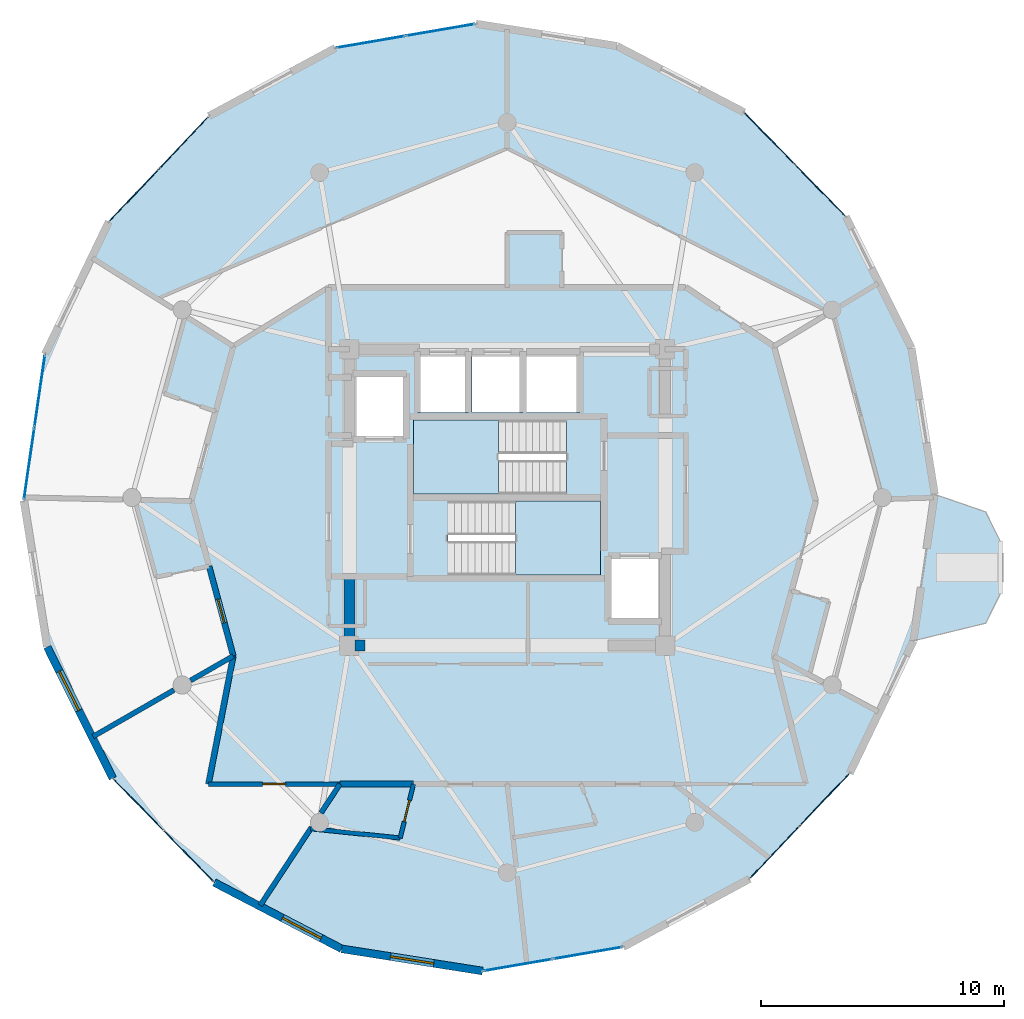
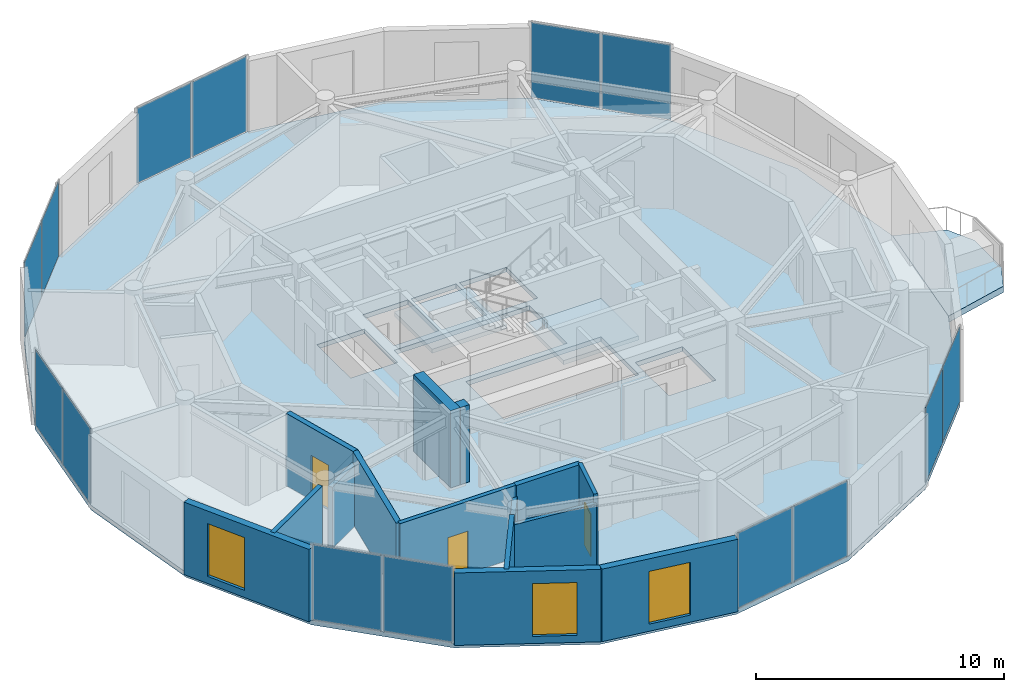
# One storey, part 16 of 22: 15 walls, 14 plates, 4 slabs, 3 doors, 3 windows, 6 openings, 9 elements without a shape of their own.
"""IFC4 building model written with IfcOpenShell, lengths in metres."""

from ifc_helpers import new_model, si_unit, direction, frame, frame_2d, origin, origin_2d, place, context, subcontext, project, spatial, polyline, rectangle, outline, extrude, source, transform, mapped, material, layer, layer_set, type_object, element, fill, aggregate, save


model = new_model("IFC4")

# Units and contexts
model_context = context("Model", 3, precision=1e-05, world=origin(), true_north=direction((0.0, 1.0)))
body_context = subcontext(model_context, "Body", "Model", "MODEL_VIEW")
ifc_project = project(units=[si_unit("LENGTHUNIT", "METRE"), si_unit("AREAUNIT", "SQUARE_METRE"), si_unit("VOLUMEUNIT", "CUBIC_METRE"), si_unit("PLANEANGLEUNIT", "RADIAN"), si_unit("MASSUNIT", "GRAM", prefix="KILO")], contexts=[model_context])

# Site, building, storey
site_placement = place(None, origin())
site = spatial("IfcSite", under=ifc_project, at=site_placement, CompositionType="ELEMENT")
building_placement = place(site_placement, origin())
building = spatial("IfcBuilding", under=site, at=building_placement, Name="Solvirekh Grand Hotel", CompositionType="ELEMENT")
storey_placement = place(building_placement, frame((0.0, 0.0, 278.199951171875)))
storey = spatial("IfcBuildingStorey", under=building, at=storey_placement, Name="L72", CompositionType="ELEMENT", Elevation=278.199951171875)

# Slab
ifc_material_1 = material(Name="Concrete C50/60", Category="concrete")
ifc_layer_1 = layer(ifc_material_1, 0.31005859375)
ifc_layer_set_1 = layer_set([ifc_layer_1], Name="Concrete C50/60")
slab_type_1 = type_object("IfcSlabType", Name="ExtHornSkyGarden_310", PredefinedType="FLOOR", material=ifc_layer_set_1)
slab_1_placement = place(storey_placement, frame((0.0, 0.0, -0.31005859375)))
element("IfcSlab", 1, at=slab_1_placement, inside=storey, type_object=slab_type_1, Name="L72 east horn sky-garden deck", PredefinedType="FLOOR", context=body_context, shape_type="SweptSolid", body=[
    extrude(outline(polyline([(17.60009765625, 0.131103515625), (16.72412109375, -5.90087890625), (19.699951171875, -5.177001953125), (20.300048828125, -3.970947265625), (20.300048828125, -1.799072265625), (19.699951171875, -0.593017578125), (17.60009765625, 0.131103515625)])), origin(), (0.0, 0.0, 1.0), 0.31005859375),
])

# Stair, slab
ifc_material_2 = material(Name="Concrete C40/50", Category="concrete")
stair_type = type_object("IfcStairType", Name="Stair_Core_1450", PredefinedType="HALF_TURN_STAIR", material=ifc_material_2)
stair_1_placement = place(storey_placement, origin())
stair_1 = element("IfcStair", 2, at=stair_1_placement, inside=storey, type_object=stair_type, Name="L72 Enclosed exit stair ST-1", PredefinedType="HALF_TURN_STAIR")
ifc_layer_2 = layer(ifc_material_2, 0.199951171875)
ifc_layer_set_2 = layer_set([ifc_layer_2], Name="Concrete C40/50")
slab_type_2 = type_object("IfcSlabType", Name="Landing_Stair_200", PredefinedType="LANDING", material=ifc_layer_set_2)
slab_2_placement = place(storey_placement, frame((0.0, 0.0, 1.699951171875)))
slab_2 = element("IfcSlab", 3, at=slab_2_placement, type_object=slab_type_2, Name="ST-1 landing 1", PredefinedType="LANDING", context=body_context, shape_type="SweptSolid", body=[
    extrude(outline(polyline([(0.35009765625, -3.199951171875), (3.85009765625, -3.199951171875), (3.85009765625, -0.14990234375), (0.35009765625, -0.14990234375), (0.35009765625, -3.199951171875)])), origin(), (0.0, 0.0, 1.0), 0.2001953125),
])
aggregate(stair_1, [slab_2])

stair_2_placement = place(storey_placement, origin())
stair_2 = element("IfcStair", 4, at=stair_2_placement, inside=storey, type_object=stair_type, Name="L72 Enclosed exit stair ST-2", PredefinedType="HALF_TURN_STAIR")
slab_3_placement = place(storey_placement, frame((0.0, 0.0, 1.699951171875)))
slab_3 = element("IfcSlab", 5, at=slab_3_placement, type_object=slab_type_2, Name="ST-2 landing 1", PredefinedType="LANDING", context=body_context, shape_type="SweptSolid", body=[
    extrude(outline(polyline([(-0.35009765625, 3.199951171875), (-3.85009765625, 3.199951171875), (-3.85009765625, 0.14990234375), (-0.35009765625, 0.14990234375), (-0.35009765625, 3.199951171875)])), origin(), (0.0, 0.0, 1.0), 0.2001953125),
])
aggregate(stair_2, [slab_3])

# Slab
ifc_layer_3 = layer(ifc_material_2, 0.22998046875)
ifc_layer_set_3 = layer_set([ifc_layer_3], Name="Concrete C40/50")
slab_type_3 = type_object("IfcSlabType", Name="Slab_GuestZ4_230", PredefinedType="FLOOR", material=ifc_layer_set_3)
slab_4_placement = place(storey_placement, frame((0.0, 0.0, -0.22998046875)))
element("IfcSlab", 6, at=slab_4_placement, inside=storey, type_object=slab_type_3, Name="L72 structural floor slab", PredefinedType="FLOOR", context=body_context, shape_type="SweptSolid", body=[
    extrude(outline(polyline([(-1.013916015625, -19.5), (4.77294921875, -18.5048828125), (9.98095703125, -15.698974609375), (14.09912109375, -11.35595703125), (16.72412109375, -5.90087890625), (17.60009765625, 0.131103515625), (16.639892578125, 6.14990234375), (13.93896484375, 11.56689453125), (9.760986328125, 15.85205078125), (4.513916015625, 18.5859375), (-1.285888671875, 19.5), (-7.072998046875, 18.5048828125), (-12.281005859375, 15.698974609375), (-16.39892578125, 11.35595703125), (-19.02392578125, 5.90087890625), (-19.89990234375, -0.131103515625), (-18.93994140625, -6.14990234375), (-16.239013671875, -11.56689453125), (-12.06103515625, -15.85205078125), (-6.81396484375, -18.5859375), (-1.013916015625, -19.5)]), holes=[polyline([(-2.444091796875, -0.14990234375), (3.85009765625, -0.14990234375), (3.85009765625, -3.199951171875), (-2.444091796875, -3.199951171875), (-2.444091796875, -0.14990234375)]), polyline([(2.444091796875, 0.14990234375), (-3.85009765625, 0.14990234375), (-3.85009765625, 3.199951171875), (2.444091796875, 3.199951171875), (2.444091796875, 0.14990234375)]), polyline([(-3.699951171875, 6.0), (-1.60009765625, 6.0), (-1.60009765625, 3.5), (-3.699951171875, 3.5), (-3.699951171875, 6.0)]), polyline([(-1.449951171875, 6.0), (0.64990234375, 6.0), (0.64990234375, 3.5), (-1.449951171875, 3.5), (-1.449951171875, 6.0)]), polyline([(0.800048828125, 6.0), (3.0, 6.0), (3.0, 3.5), (0.800048828125, 3.5), (0.800048828125, 6.0)]), polyline([(-6.35009765625, 5.10009765625), (-4.14990234375, 5.10009765625), (-4.14990234375, 2.39990234375), (-6.35009765625, 2.39990234375), (-6.35009765625, 5.10009765625)]), polyline([(4.14990234375, -2.39990234375), (6.35009765625, -2.39990234375), (6.35009765625, -5.10009765625), (4.14990234375, -5.10009765625), (4.14990234375, -2.39990234375)])]), origin(), (0.0, 0.0, 1.0), 0.22998046875),
])

# Curtain wall, plates
ifc_material_3 = material(Name="Anodized Bronze Aluminium 6063-T6", Category="aluminium")
ifc_layer_4 = layer(ifc_material_3, 0.159912109375)
ifc_layer_set_4 = layer_set([ifc_layer_4], Name="Anodized Bronze Aluminium 6063-T6")
curtain_wall_type = type_object("IfcCurtainWallType", Name="CW_Sys4_HighZoneFlushBronzeCW", PredefinedType="NOTDEFINED", material=ifc_layer_set_4)
curtain_wall_1_placement = place(storey_placement, origin())
curtain_wall_1 = element("IfcCurtainWall", 7, at=curtain_wall_1_placement, inside=storey, type_object=curtain_wall_type, Name="L72 unitised bronze-glass curtain wall CW-L72-C01", PredefinedType="NOTDEFINED")
ifc_material_4 = material(Name="Low-E Tinted Bronze Laminated Glass", Category="aluminium")
ifc_layer_5 = layer(ifc_material_4, 0.033935546875)
ifc_layer_set_5 = layer_set([ifc_layer_5], Name="Low-E Tinted Bronze Laminated Glass")
plate_type = type_object("IfcPlateType", Name="CWPanel_High_34", PredefinedType="CURTAIN_PANEL", material=ifc_layer_set_5)
shared_shape_1 = source(origin(), body_context, "Body", "SweptSolid", [
    extrude(rectangle(XDim=2.845947265625, YDim=0.033935546875, at=origin_2d()), origin(), (0.0, 0.0, 1.0), 3.68994140625),
])
plate_1_placement = place(storey_placement, frame((0.447509765625, -19.248779296875, 0.05517578125), z_axis=(0.0, 0.0, 1.0), x_axis=(0.985538671644, 0.169450661535, 0.0)))
plate_1 = element("IfcPlate", 8, at=plate_1_placement, type_object=plate_type, Name="U04 panel 1.1", PredefinedType="CURTAIN_PANEL", context=body_context, shape_type="MappedRepresentation", body=[
    mapped(shared_shape_1, transform((0.0, 0.0, 0.0), x_axis=(1.0, 0.0, 0.0), y_axis=(0.0, 1.0, 0.0), z_axis=(0.0, 0.0, 1.0), scale=1.0)),
])
plate_2_placement = place(storey_placement, frame((3.3115234375, -18.75634765625, 0.05517578125), z_axis=(0.0, 0.0, 1.0), x_axis=(0.985538671644, 0.169450661535, 0.0)))
plate_2 = element("IfcPlate", 9, at=plate_2_placement, type_object=plate_type, Name="U04 panel 2.1", PredefinedType="CURTAIN_PANEL", context=body_context, shape_type="MappedRepresentation", body=[
    mapped(shared_shape_1, transform((0.0, 0.0, 0.0), x_axis=(1.0, 0.0, 0.0), y_axis=(0.0, 1.0, 0.0), z_axis=(0.0, 0.0, 1.0), scale=1.0)),
])
aggregate(curtain_wall_1, [plate_1, plate_2])

curtain_wall_2_placement = place(storey_placement, origin())
curtain_wall_2 = element("IfcCurtainWall", 10, at=curtain_wall_2_placement, inside=storey, type_object=curtain_wall_type, Name="L72 unitised bronze-glass curtain wall CW-L72-C11", PredefinedType="NOTDEFINED")
plate_3_placement = place(storey_placement, frame((-2.74755859375, 19.248779296875, 0.05517578125), z_axis=(0.0, 0.0, 1.0), x_axis=(-0.985538671644, -0.169450661535, 0.0)))
plate_3 = element("IfcPlate", 11, at=plate_3_placement, type_object=plate_type, Name="U04 panel 1.1", PredefinedType="CURTAIN_PANEL", context=body_context, shape_type="MappedRepresentation", body=[
    mapped(shared_shape_1, transform((0.0, 0.0, 0.0), x_axis=(1.0, 0.0, 0.0), y_axis=(0.0, 1.0, 0.0), z_axis=(0.0, 0.0, 1.0), scale=1.0)),
])
plate_4_placement = place(storey_placement, frame((-5.611572265625, 18.75634765625, 0.05517578125), z_axis=(0.0, 0.0, 1.0), x_axis=(-0.985538671644, -0.169450661535, 0.0)))
plate_4 = element("IfcPlate", 12, at=plate_4_placement, type_object=plate_type, Name="U04 panel 2.1", PredefinedType="CURTAIN_PANEL", context=body_context, shape_type="MappedRepresentation", body=[
    mapped(shared_shape_1, transform((0.0, 0.0, 0.0), x_axis=(1.0, 0.0, 0.0), y_axis=(0.0, 1.0, 0.0), z_axis=(0.0, 0.0, 1.0), scale=1.0)),
])
aggregate(curtain_wall_2, [plate_3, plate_4])

curtain_wall_3_placement = place(storey_placement, origin())
curtain_wall_3 = element("IfcCurtainWall", 13, at=curtain_wall_3_placement, inside=storey, type_object=curtain_wall_type, Name="L72 unitised bronze-glass curtain wall CW-L72-C08", PredefinedType="NOTDEFINED")
shared_shape_2 = source(origin(), body_context, "Body", "SweptSolid", [
    extrude(rectangle(XDim=2.90234375, YDim=0.033935546875, at=origin_2d()), origin(), (0.0, 0.0, 1.0), 3.68994140625),
])
plate_5_placement = place(storey_placement, frame((12.884033203125, 12.64892578125, 0.05517578125), z_axis=(0.0, 0.0, 1.0), x_axis=(-0.698110843655, 0.715989699627, 0.0)))
plate_5 = element("IfcPlate", 14, at=plate_5_placement, type_object=plate_type, Name="U04 panel 1.1", PredefinedType="CURTAIN_PANEL", context=body_context, shape_type="MappedRepresentation", body=[
    mapped(shared_shape_2, transform((0.0, 0.0, 0.0), x_axis=(1.0, 0.0, 0.0), y_axis=(0.0, 1.0, 0.0), z_axis=(0.0, 0.0, 1.0), scale=1.0)),
])
plate_6_placement = place(storey_placement, frame((10.81591796875, 14.77001953125, 0.05517578125), z_axis=(0.0, 0.0, 1.0), x_axis=(-0.698110843655, 0.715989699627, 0.0)))
plate_6 = element("IfcPlate", 15, at=plate_6_placement, type_object=plate_type, Name="U04 panel 2.1", PredefinedType="CURTAIN_PANEL", context=body_context, shape_type="MappedRepresentation", body=[
    mapped(shared_shape_2, transform((0.0, 0.0, 0.0), x_axis=(1.0, 0.0, 0.0), y_axis=(0.0, 1.0, 0.0), z_axis=(0.0, 0.0, 1.0), scale=1.0)),
])
aggregate(curtain_wall_3, [plate_5, plate_6])

curtain_wall_4_placement = place(storey_placement, origin())
curtain_wall_4 = element("IfcCurtainWall", 16, at=curtain_wall_4_placement, inside=storey, type_object=curtain_wall_type, Name="L72 unitised bronze-glass curtain wall CW-L72-C18", PredefinedType="NOTDEFINED")
plate_7_placement = place(storey_placement, frame((-15.18408203125, -12.64892578125, 0.05517578125), z_axis=(0.0, 0.0, 1.0), x_axis=(0.698110843655, -0.715989699627, 0.0)))
plate_7 = element("IfcPlate", 17, at=plate_7_placement, type_object=plate_type, Name="U04 panel 1.1", PredefinedType="CURTAIN_PANEL", context=body_context, shape_type="MappedRepresentation", body=[
    mapped(shared_shape_2, transform((0.0, 0.0, 0.0), x_axis=(1.0, 0.0, 0.0), y_axis=(0.0, 1.0, 0.0), z_axis=(0.0, 0.0, 1.0), scale=1.0)),
])
plate_8_placement = place(storey_placement, frame((-13.115966796875, -14.77001953125, 0.05517578125), z_axis=(0.0, 0.0, 1.0), x_axis=(0.698110843655, -0.715989699627, 0.0)))
plate_8 = element("IfcPlate", 18, at=plate_8_placement, type_object=plate_type, Name="U04 panel 2.1", PredefinedType="CURTAIN_PANEL", context=body_context, shape_type="MappedRepresentation", body=[
    mapped(shared_shape_2, transform((0.0, 0.0, 0.0), x_axis=(1.0, 0.0, 0.0), y_axis=(0.0, 1.0, 0.0), z_axis=(0.0, 0.0, 1.0), scale=1.0)),
])
aggregate(curtain_wall_4, [plate_7, plate_8])

curtain_wall_5_placement = place(storey_placement, origin())
curtain_wall_5 = element("IfcCurtainWall", 19, at=curtain_wall_5_placement, inside=storey, type_object=curtain_wall_type, Name="L72 unitised bronze-glass curtain wall CW-L72-C03", PredefinedType="NOTDEFINED")
shared_shape_3 = source(origin(), body_context, "Body", "SweptSolid", [
    extrude(rectangle(XDim=2.902587890625, YDim=0.033935546875, at=origin_2d()), origin(), (0.0, 0.0, 1.0), 3.68994140625),
])
plate_9_placement = place(storey_placement, frame((11.020751953125, -14.602294921875, 0.05517578125), z_axis=(0.0, 0.0, 1.0), x_axis=(0.688059729066, 0.725654056171, 0.0)))
plate_9 = element("IfcPlate", 20, at=plate_9_placement, type_object=plate_type, Name="U04 panel 1.1", PredefinedType="CURTAIN_PANEL", context=body_context, shape_type="MappedRepresentation", body=[
    mapped(shared_shape_3, transform((0.0, 0.0, 0.0), x_axis=(1.0, 0.0, 0.0), y_axis=(0.0, 1.0, 0.0), z_axis=(0.0, 0.0, 1.0), scale=1.0)),
])
plate_10_placement = place(storey_placement, frame((13.05908203125, -12.45263671875, 0.05517578125), z_axis=(0.0, 0.0, 1.0), x_axis=(0.688059729066, 0.725654056171, 0.0)))
plate_10 = element("IfcPlate", 21, at=plate_10_placement, type_object=plate_type, Name="U04 panel 2.1", PredefinedType="CURTAIN_PANEL", context=body_context, shape_type="MappedRepresentation", body=[
    mapped(shared_shape_3, transform((0.0, 0.0, 0.0), x_axis=(1.0, 0.0, 0.0), y_axis=(0.0, 1.0, 0.0), z_axis=(0.0, 0.0, 1.0), scale=1.0)),
])
aggregate(curtain_wall_5, [plate_9, plate_10])

curtain_wall_6_placement = place(storey_placement, origin())
curtain_wall_6 = element("IfcCurtainWall", 22, at=curtain_wall_6_placement, inside=storey, type_object=curtain_wall_type, Name="L72 unitised bronze-glass curtain wall CW-L72-C13", PredefinedType="NOTDEFINED")
plate_11_placement = place(storey_placement, frame((-13.32080078125, 14.602294921875, 0.05517578125), z_axis=(0.0, 0.0, 1.0), x_axis=(-0.688059729066, -0.725654056171, 0.0)))
plate_11 = element("IfcPlate", 23, at=plate_11_placement, type_object=plate_type, Name="U04 panel 1.1", PredefinedType="CURTAIN_PANEL", context=body_context, shape_type="MappedRepresentation", body=[
    mapped(shared_shape_3, transform((0.0, 0.0, 0.0), x_axis=(1.0, 0.0, 0.0), y_axis=(0.0, 1.0, 0.0), z_axis=(0.0, 0.0, 1.0), scale=1.0)),
])
plate_12_placement = place(storey_placement, frame((-15.359130859375, 12.45263671875, 0.05517578125), z_axis=(0.0, 0.0, 1.0), x_axis=(-0.688059729066, -0.725654056171, 0.0)))
plate_12 = element("IfcPlate", 24, at=plate_12_placement, type_object=plate_type, Name="U04 panel 2.1", PredefinedType="CURTAIN_PANEL", context=body_context, shape_type="MappedRepresentation", body=[
    mapped(shared_shape_3, transform((0.0, 0.0, 0.0), x_axis=(1.0, 0.0, 0.0), y_axis=(0.0, 1.0, 0.0), z_axis=(0.0, 0.0, 1.0), scale=1.0)),
])
aggregate(curtain_wall_6, [plate_11, plate_12])

curtain_wall_7_placement = place(storey_placement, origin())
curtain_wall_7 = element("IfcCurtainWall", 25, at=curtain_wall_7_placement, inside=storey, type_object=curtain_wall_type, Name="L72 unitised bronze-glass curtain wall CW-L72-C15", PredefinedType="NOTDEFINED")
shared_shape_4 = source(origin(), body_context, "Body", "SweptSolid", [
    extrude(rectangle(XDim=2.95751953125, YDim=0.033935546875, at=origin_2d()), origin(), (0.0, 0.0, 1.0), 3.68994140625),
])
plate_13_placement = place(storey_placement, frame((-19.2451171875, 4.378173828125, 0.05517578125), z_axis=(0.0, 0.0, 1.0), x_axis=(-0.143717835977, -0.98961870618, 0.0)))
plate_13 = element("IfcPlate", 26, at=plate_13_placement, type_object=plate_type, Name="U04 panel 1.1", PredefinedType="CURTAIN_PANEL", context=body_context, shape_type="MappedRepresentation", body=[
    mapped(shared_shape_4, transform((0.0, 0.0, 0.0), x_axis=(1.0, 0.0, 0.0), y_axis=(0.0, 1.0, 0.0), z_axis=(0.0, 0.0, 1.0), scale=1.0)),
])
plate_14_placement = place(storey_placement, frame((-19.678955078125, 1.391845703125, 0.05517578125), z_axis=(0.0, 0.0, 1.0), x_axis=(-0.143717835977, -0.98961870618, 0.0)))
plate_14 = element("IfcPlate", 27, at=plate_14_placement, type_object=plate_type, Name="U04 panel 2.1", PredefinedType="CURTAIN_PANEL", context=body_context, shape_type="MappedRepresentation", body=[
    mapped(shared_shape_4, transform((0.0, 0.0, 0.0), x_axis=(1.0, 0.0, 0.0), y_axis=(0.0, 1.0, 0.0), z_axis=(0.0, 0.0, 1.0), scale=1.0)),
])
aggregate(curtain_wall_7, [plate_13, plate_14])

# Walls
ifc_layer_6 = layer(ifc_material_1, 0.449951171875)
ifc_layer_set_6 = layer_set([ifc_layer_6], Name="Concrete C50/60")
wall_type_1 = type_object("IfcWallType", Name="CoreWall_RC450", PredefinedType="SHEAR", material=ifc_layer_set_6)
wall_1_placement = place(storey_placement, frame((-6.27490234375, -6.10009765625, 0.0), z_axis=(0.0, 0.0, 1.0), x_axis=(1.0, 0.0, 0.0)))
element("IfcWall", 28, at=wall_1_placement, inside=storey, type_object=wall_type_1, Name="L72 core corner shear wall SW-S", PredefinedType="SHEAR", context=body_context, shape_type="SweptSolid", body=[
    extrude(rectangle(XDim=0.4248046875, YDim=0.449951171875, at=frame_2d((0.21240234375, 0.0))), origin(), (0.0, 0.0, 1.0), 3.800048828125),
])
wall_2_placement = place(storey_placement, frame((-6.5, -6.324951171875, 0.0), z_axis=(0.0, 0.0, 1.0), x_axis=(0.0, 1.0, 0.0)))
element("IfcWall", 29, at=wall_2_placement, inside=storey, type_object=wall_type_1, Name="L72 core corner shear wall WS-W", PredefinedType="SHEAR", context=body_context, shape_type="SweptSolid", body=[
    extrude(rectangle(XDim=2.974853515625, YDim=0.449951171875, at=frame_2d((1.4873046875, 0.0))), origin(), (0.0, 0.0, 1.0), 3.800048828125),
])

# Wall, opening, window
ifc_material_5 = material(Name="Precast concrete C45/55", Category="concrete")
ifc_layer_7 = layer(ifc_material_5, 0.320068359375)
ifc_layer_set_7 = layer_set([ifc_layer_7], Name="Precast concrete C45/55")
wall_type_2 = type_object("IfcWallType", Name="ExtLobbyWall_RC320", PredefinedType="SOLIDWALL", material=ifc_layer_set_7)
wall_3_placement = place(storey_placement, frame((-16.239013671875, -11.56689453125, 0.0), z_axis=(0.0, 0.0, 1.0), x_axis=(-0.44621303713, 0.894926771024, 0.0)))
wall_3 = element("IfcWall", 30, at=wall_3_placement, inside=storey, type_object=wall_type_2, Name="L72 exterior structural wall chord 17", PredefinedType="SOLIDWALL", context=body_context, shape_type="SweptSolid", body=[
    extrude(rectangle(XDim=6.052978515625, YDim=0.320068359375, at=frame_2d((3.0263671875, 0.0))), origin(), (0.0, 0.0, 1.0), 3.570068359375),
])
opening_1_placement = place(wall_3_placement, frame((3.12890625, 0.0, 0.35009765625)))
opening_1 = element("IfcOpeningElement", 31, at=opening_1_placement, cuts=wall_3, Name="Opening W02", PredefinedType="OPENING", context=body_context, shape_type="SweptSolid", body=[
    extrude(rectangle(XDim=1.800048828125, YDim=2.60009765625, at=frame_2d((0.89990234375, 1.300048828125))), frame((0.0, 0.169921875, 0.0), z_axis=(0.0, -1.0, 0.0), x_axis=(1.0, 0.0, 0.0)), (0.0, 0.0, 1.0), 0.340087890625),
])
window_type = type_object("IfcWindowType", Name="Win_LobbyExt_1800X2600", PartitioningType="SINGLE_PANEL", PredefinedType="WINDOW", material=ifc_material_4)
window_1_placement = place(opening_1_placement, origin())
window_1 = element("IfcWindow", 32, at=window_1_placement, inside=storey, type_object=window_type, Name="L72 panoramic bronze-framed window 17", OverallHeight=2.60009765625, OverallWidth=1.800048828125, PartitioningType="SINGLE_PANEL", PredefinedType="WINDOW", context=body_context, shape_type="SweptSolid", body=[
    extrude(rectangle(XDim=1.800048828125, YDim=2.60009765625, at=frame_2d((0.89990234375, 1.300048828125))), frame((0.0, 0.030029296875, 0.0), z_axis=(0.0, -1.0, 0.0), x_axis=(1.0, 0.0, 0.0)), (0.0, 0.0, 1.0), 0.06005859375),
])
fill(opening_1, window_1)

wall_4_placement = place(storey_placement, frame((-6.81396484375, -18.5859375, 0.0), z_axis=(0.0, 0.0, 1.0), x_axis=(-0.886842224504, 0.462072363205, 0.0)))
wall_4 = element("IfcWall", 33, at=wall_4_placement, inside=storey, type_object=wall_type_2, Name="L72 exterior structural wall chord 19", PredefinedType="SOLIDWALL", context=body_context, shape_type="SweptSolid", body=[
    extrude(rectangle(XDim=5.91650390625, YDim=0.320068359375, at=frame_2d((2.958251953125, 0.0))), origin(), (0.0, 0.0, 1.0), 3.570068359375),
])
opening_2_placement = place(wall_4_placement, frame((0.952880859375, 0.0, 0.35009765625)))
opening_2 = element("IfcOpeningElement", 34, at=opening_2_placement, cuts=wall_4, Name="Opening W02", PredefinedType="OPENING", context=body_context, shape_type="SweptSolid", body=[
    extrude(rectangle(XDim=1.800048828125, YDim=2.60009765625, at=frame_2d((0.89990234375, 1.300048828125))), frame((0.0, 0.169921875, 0.0), z_axis=(0.0, -1.0, 0.0), x_axis=(1.0, 0.0, 0.0)), (0.0, 0.0, 1.0), 0.340087890625),
])
window_2_placement = place(opening_2_placement, origin())
window_2 = element("IfcWindow", 35, at=window_2_placement, inside=storey, type_object=window_type, Name="L72 panoramic bronze-framed window 19", OverallHeight=2.60009765625, OverallWidth=1.800048828125, PartitioningType="SINGLE_PANEL", PredefinedType="WINDOW", context=body_context, shape_type="SweptSolid", body=[
    extrude(rectangle(XDim=1.800048828125, YDim=2.60009765625, at=frame_2d((0.89990234375, 1.300048828125))), frame((0.0, 0.030029296875, 0.0), z_axis=(0.0, -1.0, 0.0), x_axis=(1.0, 0.0, 0.0)), (0.0, 0.0, 1.0), 0.06005859375),
])
fill(opening_2, window_2)

wall_5_placement = place(storey_placement, frame((-1.013916015625, -19.5, 0.0), z_axis=(0.0, 0.0, 1.0), x_axis=(-0.987808436163, 0.155674318516, 0.0)))
wall_5 = element("IfcWall", 36, at=wall_5_placement, inside=storey, type_object=wall_type_2, Name="L72 exterior structural wall chord 20", PredefinedType="SOLIDWALL", context=body_context, shape_type="SweptSolid", body=[
    extrude(rectangle(XDim=5.87158203125, YDim=0.320068359375, at=frame_2d((2.935791015625, 0.0))), origin(), (0.0, 0.0, 1.0), 3.570068359375),
])
opening_3_placement = place(wall_5_placement, frame((2.035888671875, 0.0, 0.35009765625)))
opening_3 = element("IfcOpeningElement", 37, at=opening_3_placement, cuts=wall_5, Name="Opening W02", PredefinedType="OPENING", context=body_context, shape_type="SweptSolid", body=[
    extrude(rectangle(XDim=1.800048828125, YDim=2.60009765625, at=frame_2d((0.89990234375, 1.300048828125))), frame((0.0, 0.169921875, 0.0), z_axis=(0.0, -1.0, 0.0), x_axis=(1.0, 0.0, 0.0)), (0.0, 0.0, 1.0), 0.340087890625),
])
window_3_placement = place(opening_3_placement, origin())
window_3 = element("IfcWindow", 38, at=window_3_placement, inside=storey, type_object=window_type, Name="L72 panoramic bronze-framed window 20", OverallHeight=2.60009765625, OverallWidth=1.800048828125, PartitioningType="SINGLE_PANEL", PredefinedType="WINDOW", context=body_context, shape_type="SweptSolid", body=[
    extrude(rectangle(XDim=1.800048828125, YDim=2.60009765625, at=frame_2d((0.89990234375, 1.300048828125))), frame((0.0, 0.030029296875, 0.0), z_axis=(0.0, -1.0, 0.0), x_axis=(1.0, 0.0, 0.0)), (0.0, 0.0, 1.0), 0.06005859375),
])
fill(opening_3, window_3)

# Wall, opening, door
ifc_material_6 = material(Name="Acoustic Gypsum Partition Assembly")
ifc_layer_8 = layer(ifc_material_6, 0.239990234375)
ifc_layer_set_8 = layer_set([ifc_layer_8], Name="Acoustic Gypsum Partition Assembly")
wall_type_3 = type_object("IfcWallType", Name="Part_Corridor_240", PredefinedType="PARTITIONING", material=ifc_layer_set_8)
wall_6_placement = place(storey_placement, frame((-12.277099609375, -2.826904296875, 0.0), z_axis=(0.0, 0.0, 1.0), x_axis=(0.260803073576, -0.965392022348, 0.0)))
wall_6 = element("IfcWall", 39, at=wall_6_placement, inside=storey, type_object=wall_type_3, Name="L72 Deluxe Guestroom 7403 entrance wall", PredefinedType="PARTITIONING", context=body_context, shape_type="SweptSolid", body=[
    extrude(rectangle(XDim=3.83056640625, YDim=0.239990234375, at=frame_2d((1.915283203125, 0.0))), origin(), (0.0, 0.0, 1.0), 3.570068359375),
])
opening_4_placement = place(wall_6_placement, frame((1.4150390625, 0.0, 0.0)))
opening_4 = element("IfcOpeningElement", 40, at=opening_4_placement, cuts=wall_6, Name="Opening D07", PredefinedType="OPENING", context=body_context, shape_type="SweptSolid", body=[
    extrude(rectangle(XDim=1.0, YDim=2.199951171875, at=frame_2d((0.5, 1.10009765625))), frame((0.0, 0.1298828125, 0.0), z_axis=(0.0, -1.0, 0.0), x_axis=(1.0, 0.0, 0.0)), (0.0, 0.0, 1.0), 0.260009765625),
])
ifc_material_7 = material(Name="Fire-Rated Steel Door Assembly", Category="steel")
door_type_1 = type_object("IfcDoorType", Name="Door_GuestEntry_1000X2200", OperationType="NOTDEFINED", PredefinedType="DOOR", material=ifc_material_7)
door_1_placement = place(opening_4_placement, origin())
door_1 = element("IfcDoor", 41, at=door_1_placement, inside=storey, type_object=door_type_1, Name="L72 Deluxe Guestroom 7403 entrance door", OperationType="SINGLE_SWING_LEFT", OverallHeight=2.199951171875, OverallWidth=1.0, PredefinedType="DOOR", context=body_context, shape_type="SweptSolid", body=[
    extrude(rectangle(XDim=1.0, YDim=2.199951171875, at=frame_2d((0.5, 1.10009765625))), frame((0.0, 0.02490234375, 0.0), z_axis=(0.0, -1.0, 0.0), x_axis=(1.0, 0.0, 0.0)), (0.0, 0.0, 1.0), 0.050048828125),
])
fill(opening_4, door_1)

# Walls
wall_7_placement = place(storey_placement, frame((-11.278076171875, -6.52490234375, 0.0), z_axis=(0.0, 0.0, 1.0), x_axis=(-0.190197086903, -0.981745928504, 0.0)))
element("IfcWall", 42, at=wall_7_placement, inside=storey, type_object=wall_type_3, Name="L72 L72 Kremlin View Lounge corridor wall 1", PredefinedType="PARTITIONING", context=body_context, shape_type="SweptSolid", body=[
    extrude(rectangle(XDim=5.373291015625, YDim=0.239990234375, at=frame_2d((2.6865234375, 0.0))), origin(), (0.0, 0.0, 1.0), 3.570068359375),
])
wall_8_placement = place(storey_placement, frame((-6.887939453125, -11.800048828125, 0.0), z_axis=(0.0, 0.0, 1.0), x_axis=(1.0, 0.0, 0.0)))
element("IfcWall", 43, at=wall_8_placement, inside=storey, type_object=wall_type_3, Name="L72 En-suite Bathroom 7405 corridor backing wall", PredefinedType="PARTITIONING", context=body_context, shape_type="SweptSolid", body=[
    extrude(rectangle(XDim=3.031005859375, YDim=0.239990234375, at=frame_2d((1.515625, 0.0))), origin(), (0.0, 0.0, 1.0), 3.570068359375),
])

# Wall, opening, door
ifc_layer_9 = layer(ifc_material_6, 0.18994140625)
ifc_layer_set_9 = layer_set([ifc_layer_9], Name="Acoustic Gypsum Partition Assembly")
wall_type_4 = type_object("IfcWallType", Name="Part_GuestDemise_190", PredefinedType="PARTITIONING", material=ifc_layer_set_9)
wall_9_placement = place(storey_placement, frame((-12.300048828125, -11.800048828125, 0.0), z_axis=(0.0, 0.0, 1.0), x_axis=(1.0, 0.0, 0.0)))
wall_9 = element("IfcWall", 44, at=wall_9_placement, inside=storey, type_object=wall_type_4, Name="L72 L72 Kremlin View Lounge entrance wall", PredefinedType="PARTITIONING", context=body_context, shape_type="SweptSolid", body=[
    extrude(rectangle(XDim=5.412109375, YDim=0.18994140625, at=frame_2d((2.7060546875, 0.0))), origin(), (0.0, 0.0, 1.0), 3.570068359375),
])
opening_5_placement = place(wall_9_placement, frame((2.23095703125, 0.0, 0.0)))
opening_5 = element("IfcOpeningElement", 45, at=opening_5_placement, cuts=wall_9, Name="Opening D10", PredefinedType="OPENING", context=body_context, shape_type="SweptSolid", body=[
    extrude(rectangle(XDim=0.949951171875, YDim=2.10009765625, at=frame_2d((0.47509765625, 1.050048828125))), frame((0.0, 0.10498046875, 0.0), z_axis=(0.0, -1.0, 0.0), x_axis=(1.0, 0.0, 0.0)), (0.0, 0.0, 1.0), 0.2099609375),
])
door_type_2 = type_object("IfcDoorType", Name="Door_RoomInt_950X2100", OperationType="NOTDEFINED", PredefinedType="DOOR", material=ifc_material_3)
door_2_placement = place(opening_5_placement, origin())
door_2 = element("IfcDoor", 46, at=door_2_placement, inside=storey, type_object=door_type_2, Name="L72 L72 Kremlin View Lounge entrance door", OperationType="SINGLE_SWING_RIGHT", OverallHeight=2.10009765625, OverallWidth=0.949951171875, PredefinedType="DOOR", context=body_context, shape_type="SweptSolid", body=[
    extrude(rectangle(XDim=0.949951171875, YDim=2.10009765625, at=frame_2d((0.47509765625, 1.050048828125))), frame((0.0, 0.02490234375, 0.0), z_axis=(0.0, -1.0, 0.0), x_axis=(1.0, 0.0, 0.0)), (0.0, 0.0, 1.0), 0.050048828125),
])
fill(opening_5, door_2)

# Walls
ifc_layer_10 = layer(ifc_material_6, 0.2099609375)
ifc_layer_set_10 = layer_set([ifc_layer_10], Name="Acoustic Gypsum Partition Assembly")
wall_type_5 = type_object("IfcWallType", Name="Part_SuiteDemise_210", PredefinedType="PARTITIONING", material=ifc_layer_set_10)
wall_10_placement = place(storey_placement, frame((-11.278076171875, -6.52490234375, 0.0), z_axis=(0.0, 0.0, 1.0), x_axis=(-0.86703130414, -0.498253667966, 0.0)))
element("IfcWall", 47, at=wall_10_placement, inside=storey, type_object=wall_type_5, Name="L72 suite radial wall 8 (A)", PredefinedType="PARTITIONING", context=body_context, shape_type="SweptSolid", body=[
    extrude(rectangle(XDim=2.025146484375, YDim=0.2099609375, at=frame_2d((1.0126953125, 0.0))), origin(), (0.0, 0.0, 1.0), 3.010986328125),
])
wall_11_placement = place(storey_placement, frame((-13.718994140625, -7.927978515625, 0.0), z_axis=(0.0, 0.0, 1.0), x_axis=(-0.866911789482, -0.498461582529, 0.0)))
element("IfcWall", 48, at=wall_11_placement, inside=storey, type_object=wall_type_5, Name="L72 suite radial wall 8 (B)", PredefinedType="PARTITIONING", context=body_context, shape_type="SweptSolid", body=[
    extrude(rectangle(XDim=3.845703125, YDim=0.2099609375, at=frame_2d((1.9228515625, 0.0))), origin(), (0.0, 0.0, 1.0), 3.570068359375),
])
wall_12_placement = place(storey_placement, frame((-6.887939453125, -11.800048828125, 0.0), z_axis=(0.0, 0.0, 1.0), x_axis=(-0.549503063575, -0.835491701408, 0.0)))
element("IfcWall", 49, at=wall_12_placement, inside=storey, type_object=wall_type_5, Name="L72 L72 Kremlin View Lounge dividing partition 1 (A)", PredefinedType="PARTITIONING", context=body_context, shape_type="SweptSolid", body=[
    extrude(rectangle(XDim=1.423095703125, YDim=0.2099609375, at=frame_2d((0.71142578125, 0.0))), origin(), (0.0, 0.0, 1.0), 3.010986328125),
])
wall_13_placement = place(storey_placement, frame((-8.06201171875, -13.5859375, 0.0), z_axis=(0.0, 0.0, 1.0), x_axis=(-0.549373402242, -0.835576965282, 0.0)))
element("IfcWall", 50, at=wall_13_placement, inside=storey, type_object=wall_type_5, Name="L72 L72 Kremlin View Lounge dividing partition 1 (B)", PredefinedType="PARTITIONING", context=body_context, shape_type="SweptSolid", body=[
    extrude(rectangle(XDim=3.8369140625, YDim=0.2099609375, at=frame_2d((1.91845703125, 0.0))), origin(), (0.0, 0.0, 1.0), 3.570068359375),
])
ifc_layer_11 = layer(ifc_material_6, 0.175048828125)
ifc_layer_set_11 = layer_set([ifc_layer_11], Name="Acoustic Gypsum Partition Assembly")
wall_type_6 = type_object("IfcWallType", Name="Plumb_Ensuite_175", PredefinedType="PLUMBINGWALL", material=ifc_layer_set_11)
wall_14_placement = place(storey_placement, frame((-8.096923828125, -13.637939453125, 0.0), z_axis=(0.0, 0.0, 1.0), x_axis=(0.994690169037, -0.102914856178, 0.0)))
element("IfcWall", 51, at=wall_14_placement, inside=storey, type_object=wall_type_6, Name="L72 En-suite Bathroom 7405 outer plumbing wall", PredefinedType="PLUMBINGWALL", context=body_context, shape_type="SweptSolid", body=[
    extrude(rectangle(XDim=3.712646484375, YDim=0.175048828125, at=frame_2d((1.8564453125, 0.0))), origin(), (0.0, 0.0, 1.0), 3.136962890625),
])

# Wall, opening, door
wall_15_placement = place(storey_placement, frame((-3.85693359375, -11.800048828125, 0.0), z_axis=(0.0, 0.0, 1.0), x_axis=(-0.239293195121, -0.970947355302, 0.0)))
wall_15 = element("IfcWall", 52, at=wall_15_placement, inside=storey, type_object=wall_type_6, Name="L72 En-suite Bathroom 7405 entry plumbing wall", PredefinedType="PLUMBINGWALL", context=body_context, shape_type="SweptSolid", body=[
    extrude(rectangle(XDim=2.286376953125, YDim=0.175048828125, at=frame_2d((1.14306640625, 0.0))), origin(), (0.0, 0.0, 1.0), 3.570068359375),
])
opening_6_placement = place(wall_15_placement, frame((0.693115234375, 0.0, 0.0)))
opening_6 = element("IfcOpeningElement", 53, at=opening_6_placement, cuts=wall_15, Name="Opening D09", PredefinedType="OPENING", context=body_context, shape_type="SweptSolid", body=[
    extrude(rectangle(XDim=0.89990234375, YDim=2.10009765625, at=frame_2d((0.449951171875, 1.050048828125))), frame((0.0, 0.09765625, 0.0), z_axis=(0.0, -1.0, 0.0), x_axis=(1.0, 0.0, 0.0)), (0.0, 0.0, 1.0), 0.195068359375),
])
door_type_3 = type_object("IfcDoorType", Name="Door_Ensuite_900X2100", OperationType="NOTDEFINED", PredefinedType="DOOR", material=ifc_material_3)
door_3_placement = place(opening_6_placement, origin())
door_3 = element("IfcDoor", 54, at=door_3_placement, inside=storey, type_object=door_type_3, Name="L72 En-suite Bathroom 7405 door", OperationType="SINGLE_SWING_LEFT", OverallHeight=2.10009765625, OverallWidth=0.89990234375, PredefinedType="DOOR", context=body_context, shape_type="SweptSolid", body=[
    extrude(rectangle(XDim=0.89990234375, YDim=2.10009765625, at=frame_2d((0.449951171875, 1.050048828125))), frame((0.0, 0.02490234375, 0.0), z_axis=(0.0, -1.0, 0.0), x_axis=(1.0, 0.0, 0.0)), (0.0, 0.0, 1.0), 0.050048828125),
])
fill(opening_6, door_3)

save(model, "model.ifc")
